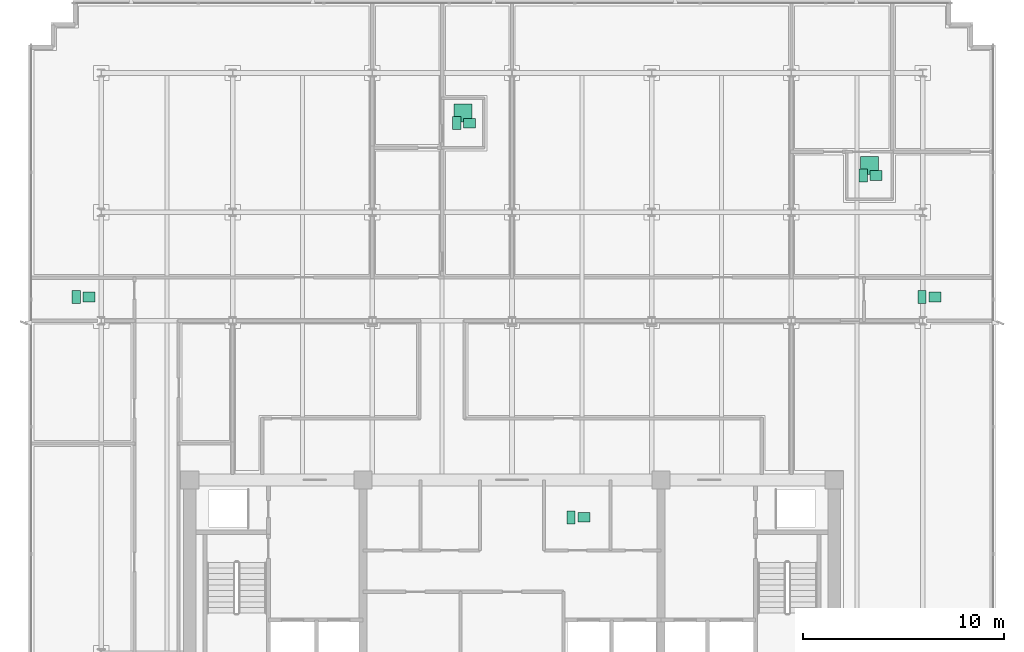
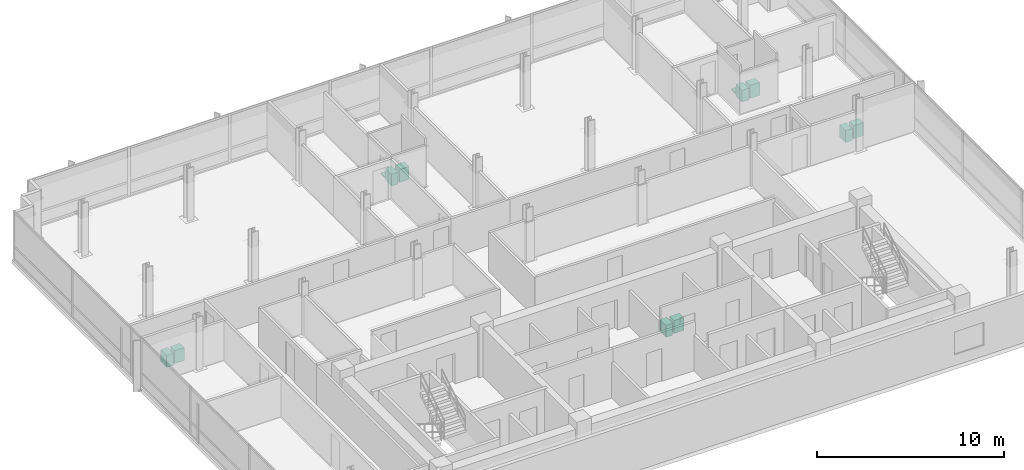
# One storey, part 18 of 18: 12 sanitary terminals.
"""IFC4 building model written with IfcOpenShell, lengths in metres."""

from ifc_helpers import new_model, si_unit, direction, frame, origin, origin_2d, place, context, subcontext, project, spatial, rectangle, extrude, material, type_object, element, save


model = new_model("IFC4")

# Units and contexts
model_context = context("Model", 3, precision=1e-05, world=origin(), true_north=direction((0.0, 1.0)))
body_context = subcontext(model_context, "Body", "Model", "MODEL_VIEW")
ifc_project = project(units=[si_unit("LENGTHUNIT", "METRE"), si_unit("AREAUNIT", "SQUARE_METRE"), si_unit("VOLUMEUNIT", "CUBIC_METRE"), si_unit("PLANEANGLEUNIT", "RADIAN"), si_unit("MASSUNIT", "GRAM", prefix="KILO")], contexts=[model_context])

# Site, building, storey
site_placement = place(None, origin())
site = spatial("IfcSite", under=ifc_project, at=site_placement, CompositionType="ELEMENT")
building_placement = place(site_placement, origin())
building = spatial("IfcBuilding", under=site, at=building_placement, Name="Solmavex Isthmus Hotel", CompositionType="ELEMENT")
storey_placement = place(building_placement, frame((0.0, 0.0, 283.35009765625)))
storey = spatial("IfcBuildingStorey", under=building, at=storey_placement, Name="L77", CompositionType="ELEMENT", Elevation=283.35009765625)

# Sanitary terminals
ifc_material = material(Name="Vitreous china ceramic", Category="ceramic")
sanitary_terminal_type_1 = type_object("IfcSanitaryTerminalType", Name="SAN-BASIN", PredefinedType="WASHHANDBASIN", material=ifc_material)
for number, where, z_axis, x_axis, name in (
    (1, (3.570068359375, -4.360107421875, -0.000244140625), (0.0, 0.0, 1.0), (1.0, 0.0, 0.0), "Vanity Washbasin L77-383"),
    (2, (-2.114013671875, 15.212890625, -0.000244140625), (0.0, 0.0, 1.0), (1.0, 0.0, 0.0), "Vanity Washbasin L77-384"),
    (3, (18.071044921875, 12.613037109375, -0.000244140625), (0.0, 0.0, 1.0), (1.0, 0.0, 0.0), "Vanity Washbasin L77-385"),
    (4, (-20.9951171875, 6.577392578125, -0.000244140625), (0.0, 0.0, 1.0), (1.0, 0.0, 0.0), "Vanity Washbasin L77-386"),
    (5, (20.99609375, 6.577392578125, -0.000244140625), (0.0, 0.0, 1.0), (1.0, 0.0, 0.0), "Vanity Washbasin L77-387"),
):
    element("IfcSanitaryTerminal", number, at=place(storey_placement, frame(where, z_axis=z_axis, x_axis=x_axis)), inside=storey, type_object=sanitary_terminal_type_1, Name=name, PredefinedType="WASHHANDBASIN", context=body_context, shape_type="SweptSolid", body=[
        extrude(rectangle(XDim=0.60009765625, YDim=0.47998046875, at=origin_2d()), origin(), (0.0, 0.0, 1.0), 0.85009765625),
    ])
sanitary_terminal_type_2 = type_object("IfcSanitaryTerminalType", Name="SAN-SHOWER", PredefinedType="SHOWER", material=ifc_material)
for number, where, z_axis, x_axis, name in (
    (6, (-2.43408203125, 15.712890625, -0.000244140625), (0.0, 0.0, 1.0), (1.0, 0.0, 0.0), "Walk-In Shower L77-384"),
    (7, (17.7509765625, 13.113037109375, -0.000244140625), (0.0, 0.0, 1.0), (1.0, 0.0, 0.0), "Walk-In Shower L77-385"),
):
    element("IfcSanitaryTerminal", number, at=place(storey_placement, frame(where, z_axis=z_axis, x_axis=x_axis)), inside=storey, type_object=sanitary_terminal_type_2, Name=name, PredefinedType="SHOWER", context=body_context, shape_type="SweptSolid", body=[
        extrude(rectangle(XDim=0.89990234375, YDim=0.89990234375, at=origin_2d()), origin(), (0.0, 0.0, 1.0), 0.080078125),
    ])
sanitary_terminal_type_3 = type_object("IfcSanitaryTerminalType", Name="SAN-WC-SUITE", PredefinedType="TOILETPAN", material=ifc_material)
for number, where, z_axis, x_axis, name in (
    (8, (2.929931640625, -4.360107421875, 0.0), (0.0, 0.0, 1.0), (1.0, 0.0, 0.0), "Water Closet L77-383"),
    (9, (-2.75390625, 15.212890625, 0.0), (0.0, 0.0, 1.0), (1.0, 0.0, 0.0), "Water Closet L77-384"),
    (10, (17.430908203125, 12.613037109375, 0.0), (0.0, 0.0, 1.0), (1.0, 0.0, 0.0), "Water Closet L77-385"),
    (11, (-21.635009765625, 6.577392578125, 0.0), (0.0, 0.0, 1.0), (1.0, 0.0, 0.0), "Water Closet L77-386"),
    (12, (20.35595703125, 6.577392578125, 0.0), (0.0, 0.0, 1.0), (1.0, 0.0, 0.0), "Water Closet L77-387"),
):
    element("IfcSanitaryTerminal", number, at=place(storey_placement, frame(where, z_axis=z_axis, x_axis=x_axis)), inside=storey, type_object=sanitary_terminal_type_3, Name=name, PredefinedType="TOILETPAN", context=body_context, shape_type="SweptSolid", body=[
        extrude(rectangle(XDim=0.419921875, YDim=0.64990234375, at=origin_2d()), origin(), (0.0, 0.0, 1.0), 0.780029296875),
    ])

save(model, "model.ifc")
